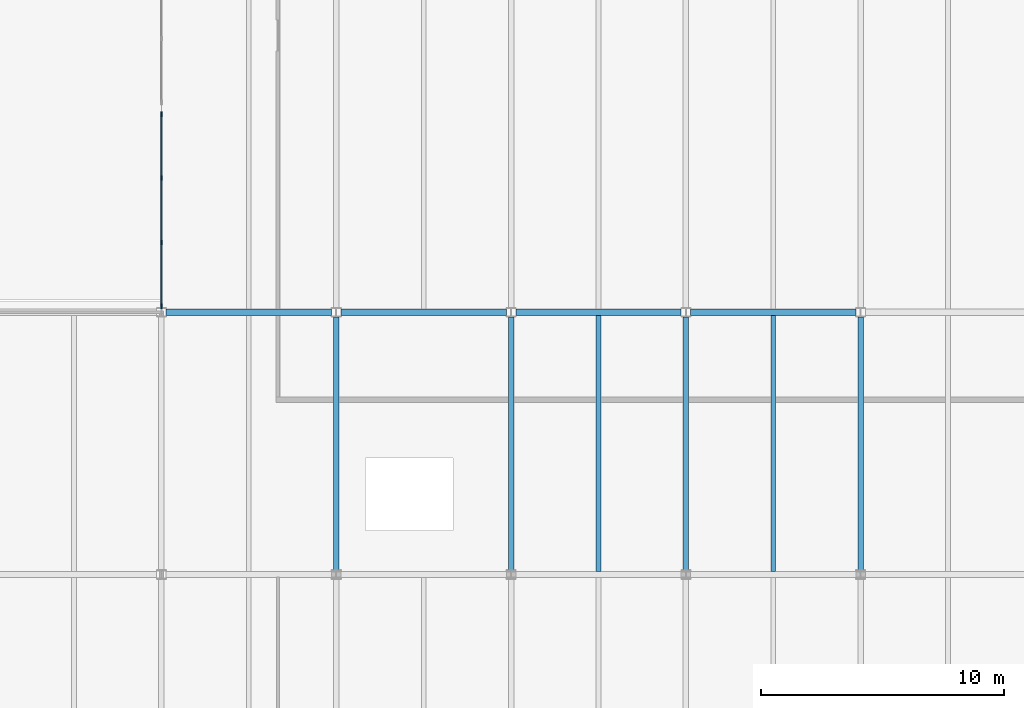
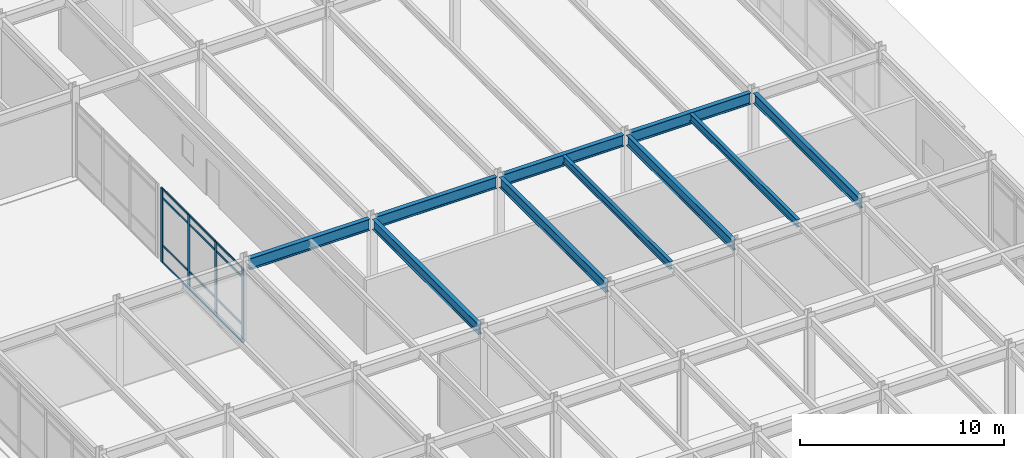
# One storey, part 46 of 104: 16 members, 10 beams, 1 element without a shape of its own.
"""IFC4 building model written with IfcOpenShell, lengths in metres."""

from ifc_helpers import new_model, si_unit, direction, frame, origin, origin_2d, place, context, subcontext, project, spatial, rectangle, i_section, extrude, material, material_profile, profile_set, type_object, element, aggregate, save


model = new_model("IFC4")

# Units and contexts
model_context = context("Model", 3, precision=1e-05, world=origin(), true_north=direction((0.0, 1.0)))
body_context = subcontext(model_context, "Body", "Model", "MODEL_VIEW")
ifc_project = project(units=[si_unit("LENGTHUNIT", "METRE"), si_unit("AREAUNIT", "SQUARE_METRE"), si_unit("VOLUMEUNIT", "CUBIC_METRE"), si_unit("PLANEANGLEUNIT", "RADIAN"), si_unit("MASSUNIT", "GRAM", prefix="KILO")], contexts=[model_context])

# Site, building, storey
site_placement = place(None, origin())
site = spatial("IfcSite", under=ifc_project, at=site_placement, CompositionType="ELEMENT")
building_placement = place(site_placement, origin())
building = spatial("IfcBuilding", under=site, at=building_placement, Name="Vaelcorin Mobility Hub", CompositionType="ELEMENT")
storey_placement = place(building_placement, origin())
storey = spatial("IfcBuildingStorey", under=building, at=storey_placement, Name="L00", CompositionType="ELEMENT", Elevation=0.0)

# Beams
ifc_material_1 = material(Name="Steel ASTM A992 Grade 50", Category="steel")
ifc_material_profile_1 = material_profile(ifc_material_1, i_section(OverallWidth=0.19091796875, OverallDepth=0.4599609375, WebThickness=0.010009765625, FlangeThickness=0.01611328125, FilletRadius=0.012939453125, at=origin_2d()), Name="W18X55")
ifc_profile_set_1 = profile_set([ifc_material_profile_1], Name="Steel ASTM A992 Grade 50")
beam_type_1 = type_object("IfcBeamType", Name="BM-W18X55", PredefinedType="JOIST", material=ifc_profile_set_1)
for number, where, z_axis, x_axis, name in (
    (1, (186.0, 49.324951171875, 4.909912109375), (0.0, 1.0, 0.0), (-1.0, 0.0, 0.0), "L00 Beam V5-L00-J-05-07-1"),
    (2, (193.199951171875, 49.324951171875, 4.909912109375), (0.0, 1.0, 0.0), (-1.0, 0.0, 0.0), "L00 Beam V5-L00-J-06-07-1"),
):
    element("IfcBeam", number, at=place(storey_placement, frame(where, z_axis=z_axis, x_axis=x_axis)), inside=storey, type_object=beam_type_1, Name=name, PredefinedType="JOIST", context=body_context, shape_type="SweptSolid", body=[
        extrude(i_section(OverallWidth=0.19091796875, OverallDepth=0.4599609375, WebThickness=0.010009765625, FlangeThickness=0.01611328125, FilletRadius=0.012939453125, at=origin_2d()), origin(), (0.0, 0.0, 1.0), 10.550048828125),
    ])
ifc_material_profile_2 = material_profile(ifc_material_1, i_section(OverallWidth=0.22900390625, OverallDepth=0.612060546875, WebThickness=0.011962890625, FlangeThickness=0.01953125, FilletRadius=0.014892578125, at=origin_2d()), Name="W24X84")
ifc_profile_set_2 = profile_set([ifc_material_profile_2], Name="Steel ASTM A992 Grade 50")
beam_type_2 = type_object("IfcBeamType", Name="BM-W24X84", PredefinedType="BEAM", material=ifc_profile_set_2)
for number, where, z_axis, x_axis, name in (
    (3, (175.199951171875, 49.387939453125, 4.833984375), (0.0, 1.0, 0.0), (-1.0, 0.0, 0.0), "L00 Beam V5-L00-GY-04-07"),
    (4, (182.39990234375, 49.387939453125, 4.833984375), (0.0, 1.0, 0.0), (-1.0, 0.0, 0.0), "L00 Beam V5-L00-GY-05-07"),
    (5, (189.60009765625, 49.387939453125, 4.833984375), (0.0, 1.0, 0.0), (-1.0, 0.0, 0.0), "L00 Beam V5-L00-GY-06-07"),
    (6, (196.800048828125, 49.387939453125, 4.833984375), (0.0, 1.0, 0.0), (-1.0, 0.0, 0.0), "L00 Beam V5-L00-GY-07-07"),
):
    element("IfcBeam", number, at=place(storey_placement, frame(where, z_axis=z_axis, x_axis=x_axis)), inside=storey, type_object=beam_type_2, Name=name, PredefinedType="BEAM", context=body_context, shape_type="SweptSolid", body=[
        extrude(i_section(OverallWidth=0.22900390625, OverallDepth=0.612060546875, WebThickness=0.011962890625, FlangeThickness=0.01953125, FilletRadius=0.014892578125, at=origin_2d()), origin(), (0.0, 0.0, 1.0), 10.424072265625),
    ])
ifc_material_profile_3 = material_profile(ifc_material_1, i_section(OverallWidth=0.25390625, OverallDepth=0.68310546875, WebThickness=0.012451171875, FlangeThickness=0.018798828125, FilletRadius=0.01611328125, at=origin_2d()), Name="W27X94")
ifc_profile_set_3 = profile_set([ifc_material_profile_3], Name="Steel ASTM A992 Grade 50")
beam_type_3 = type_object("IfcBeamType", Name="BM-W27X94", PredefinedType="BEAM", material=ifc_profile_set_3)
beam_placement = place(storey_placement, frame((168.196044921875, 60.0, 4.798095703125), z_axis=(1.0, 0.0, 0.0), x_axis=(0.0, 1.0, 0.0)))
element("IfcBeam", 7, at=beam_placement, inside=storey, type_object=beam_type_3, Name="L00 Beam V5-L00-GX-08-03", PredefinedType="BEAM", context=body_context, shape_type="SweptSolid", body=[
    extrude(i_section(OverallWidth=0.25390625, OverallDepth=0.68310546875, WebThickness=0.012451171875, FlangeThickness=0.018798828125, FilletRadius=0.01611328125, at=origin_2d()), origin(), (0.0, 0.0, 1.0), 6.807861328125),
])
for number, where, z_axis, x_axis, name in (
    (8, (175.39599609375, 60.0, 4.798095703125), (1.0, 0.0, 0.0), (0.0, 1.0, 0.0), "L00 Beam V5-L00-GX-08-04"),
    (9, (182.595947265625, 60.0, 4.798095703125), (1.0, 0.0, 0.0), (0.0, 1.0, 0.0), "L00 Beam V5-L00-GX-08-05"),
    (10, (189.7958984375, 60.0, 4.798095703125), (1.0, 0.0, 0.0), (0.0, 1.0, 0.0), "L00 Beam V5-L00-GX-08-06"),
):
    element("IfcBeam", number, at=place(storey_placement, frame(where, z_axis=z_axis, x_axis=x_axis)), inside=storey, type_object=beam_type_3, Name=name, PredefinedType="BEAM", context=body_context, shape_type="SweptSolid", body=[
        extrude(i_section(OverallWidth=0.25390625, OverallDepth=0.68310546875, WebThickness=0.012451171875, FlangeThickness=0.018798828125, FilletRadius=0.01611328125, at=origin_2d()), origin(), (0.0, 0.0, 1.0), 6.80810546875),
    ])

# Curtain wall, members
ifc_material_2 = material(Name="Anodised aluminium 6063-T6", Category="aluminium")
curtain_wall_type = type_object("IfcCurtainWallType", Name="CW-MOB-A", PredefinedType="NOTDEFINED", material=ifc_material_2)
curtain_wall_placement = place(storey_placement, origin())
curtain_wall = element("IfcCurtainWall", 11, at=curtain_wall_placement, inside=storey, type_object=curtain_wall_type, Name="L00 Curtain Wall CW-V5-L00-NOTCH-1", PredefinedType="NOTDEFINED")
ifc_material_profile_4 = material_profile(ifc_material_2, rectangle(XDim=0.070068359375, YDim=0.199951171875, at=origin_2d()), Name="ALU-M70X200")
ifc_profile_set_4 = profile_set([ifc_material_profile_4], Name="Anodised aluminium 6063-T6")
member_type_1 = type_object("IfcMemberType", Name="CW-MULL-200", PredefinedType="MULLION", material=ifc_profile_set_4)
member_1_placement = place(storey_placement, frame((168.0, 60.25, 0.0), z_axis=(0.0, 0.0, 1.0), x_axis=(-1.0, 0.0, 0.0)))
member_1 = element("IfcMember", 12, at=member_1_placement, type_object=member_type_1, Name="CW7 mullion 1", PredefinedType="MULLION", context=body_context, shape_type="SweptSolid", body=[
    extrude(rectangle(XDim=0.070068359375, YDim=0.199951171875, at=origin_2d()), origin(), (0.0, 0.0, 1.0), 4.44189453125),
])
member_2_placement = place(storey_placement, frame((168.0, 62.873291015625, 0.0), z_axis=(0.0, 0.0, 1.0), x_axis=(-1.0, 0.0, 0.0)))
member_2 = element("IfcMember", 13, at=member_2_placement, type_object=member_type_1, Name="CW7 mullion 2", PredefinedType="MULLION", context=body_context, shape_type="SweptSolid", body=[
    extrude(rectangle(XDim=0.070068359375, YDim=0.199951171875, at=origin_2d()), origin(), (0.0, 0.0, 1.0), 4.44189453125),
])
member_3_placement = place(storey_placement, frame((168.0, 65.526611328125, 0.0), z_axis=(0.0, 0.0, 1.0), x_axis=(-1.0, 0.0, 0.0)))
member_3 = element("IfcMember", 14, at=member_3_placement, type_object=member_type_1, Name="CW7 mullion 3", PredefinedType="MULLION", context=body_context, shape_type="SweptSolid", body=[
    extrude(rectangle(XDim=0.070068359375, YDim=0.199951171875, at=origin_2d()), origin(), (0.0, 0.0, 1.0), 4.44189453125),
])
member_4_placement = place(storey_placement, frame((168.0, 68.14990234375, 0.0), z_axis=(0.0, 0.0, 1.0), x_axis=(-1.0, 0.0, 0.0)))
member_4 = element("IfcMember", 15, at=member_4_placement, type_object=member_type_1, Name="CW7 mullion 4", PredefinedType="MULLION", context=body_context, shape_type="SweptSolid", body=[
    extrude(rectangle(XDim=0.070068359375, YDim=0.199951171875, at=origin_2d()), origin(), (0.0, 0.0, 1.0), 4.44189453125),
])
ifc_material_profile_5 = material_profile(ifc_material_2, rectangle(XDim=0.06005859375, YDim=0.1201171875, at=origin_2d()), Name="ALU-T60X120")
ifc_profile_set_5 = profile_set([ifc_material_profile_5], Name="Anodised aluminium 6063-T6")
member_type_2 = type_object("IfcMemberType", Name="CW-TRAN-140", PredefinedType="USERDEFINED", material=ifc_profile_set_5)
member_5_placement = place(storey_placement, frame((168.0, 60.280029296875, 0.030029296875), z_axis=(0.0, 1.0, 0.0), x_axis=(-1.0, 0.0, 0.0)))
member_5 = element("IfcMember", 16, at=member_5_placement, type_object=member_type_2, Name="CW7 transom 1.1", ObjectType="TRANSOM", PredefinedType="USERDEFINED", context=body_context, shape_type="SweptSolid", body=[
    extrude(rectangle(XDim=0.06005859375, YDim=0.1201171875, at=origin_2d()), origin(), (0.0, 0.0, 1.0), 2.563232421875),
])
member_6_placement = place(storey_placement, frame((168.0, 60.280029296875, 1.050048828125), z_axis=(0.0, 1.0, 0.0), x_axis=(-1.0, 0.0, 0.0)))
member_6 = element("IfcMember", 17, at=member_6_placement, type_object=member_type_2, Name="CW7 transom 1.2", ObjectType="TRANSOM", PredefinedType="USERDEFINED", context=body_context, shape_type="SweptSolid", body=[
    extrude(rectangle(XDim=0.06005859375, YDim=0.1201171875, at=origin_2d()), origin(), (0.0, 0.0, 1.0), 2.563232421875),
])
member_7_placement = place(storey_placement, frame((168.0, 60.280029296875, 3.89208984375), z_axis=(0.0, 1.0, 0.0), x_axis=(-1.0, 0.0, 0.0)))
member_7 = element("IfcMember", 18, at=member_7_placement, type_object=member_type_2, Name="CW7 transom 1.3", ObjectType="TRANSOM", PredefinedType="USERDEFINED", context=body_context, shape_type="SweptSolid", body=[
    extrude(rectangle(XDim=0.06005859375, YDim=0.1201171875, at=origin_2d()), origin(), (0.0, 0.0, 1.0), 2.563232421875),
])
member_8_placement = place(storey_placement, frame((168.0, 60.280029296875, 4.412109375), z_axis=(0.0, 1.0, 0.0), x_axis=(-1.0, 0.0, 0.0)))
member_8 = element("IfcMember", 19, at=member_8_placement, type_object=member_type_2, Name="CW7 transom 1.4", ObjectType="TRANSOM", PredefinedType="USERDEFINED", context=body_context, shape_type="SweptSolid", body=[
    extrude(rectangle(XDim=0.06005859375, YDim=0.1201171875, at=origin_2d()), origin(), (0.0, 0.0, 1.0), 2.563232421875),
])
member_9_placement = place(storey_placement, frame((168.0, 62.9033203125, 0.030029296875), z_axis=(0.0, 1.0, 0.0), x_axis=(-1.0, 0.0, 0.0)))
member_9 = element("IfcMember", 20, at=member_9_placement, type_object=member_type_2, Name="CW7 transom 2.1", ObjectType="TRANSOM", PredefinedType="USERDEFINED", context=body_context, shape_type="SweptSolid", body=[
    extrude(rectangle(XDim=0.06005859375, YDim=0.1201171875, at=origin_2d()), origin(), (0.0, 0.0, 1.0), 2.59326171875),
])
member_10_placement = place(storey_placement, frame((168.0, 62.9033203125, 1.050048828125), z_axis=(0.0, 1.0, 0.0), x_axis=(-1.0, 0.0, 0.0)))
member_10 = element("IfcMember", 21, at=member_10_placement, type_object=member_type_2, Name="CW7 transom 2.2", ObjectType="TRANSOM", PredefinedType="USERDEFINED", context=body_context, shape_type="SweptSolid", body=[
    extrude(rectangle(XDim=0.06005859375, YDim=0.1201171875, at=origin_2d()), origin(), (0.0, 0.0, 1.0), 2.59326171875),
])
member_11_placement = place(storey_placement, frame((168.0, 62.9033203125, 3.89208984375), z_axis=(0.0, 1.0, 0.0), x_axis=(-1.0, 0.0, 0.0)))
member_11 = element("IfcMember", 22, at=member_11_placement, type_object=member_type_2, Name="CW7 transom 2.3", ObjectType="TRANSOM", PredefinedType="USERDEFINED", context=body_context, shape_type="SweptSolid", body=[
    extrude(rectangle(XDim=0.06005859375, YDim=0.1201171875, at=origin_2d()), origin(), (0.0, 0.0, 1.0), 2.59326171875),
])
member_12_placement = place(storey_placement, frame((168.0, 62.9033203125, 4.412109375), z_axis=(0.0, 1.0, 0.0), x_axis=(-1.0, 0.0, 0.0)))
member_12 = element("IfcMember", 23, at=member_12_placement, type_object=member_type_2, Name="CW7 transom 2.4", ObjectType="TRANSOM", PredefinedType="USERDEFINED", context=body_context, shape_type="SweptSolid", body=[
    extrude(rectangle(XDim=0.06005859375, YDim=0.1201171875, at=origin_2d()), origin(), (0.0, 0.0, 1.0), 2.59326171875),
])
member_13_placement = place(storey_placement, frame((168.0, 65.556640625, 0.030029296875), z_axis=(0.0, 1.0, 0.0), x_axis=(-1.0, 0.0, 0.0)))
member_13 = element("IfcMember", 24, at=member_13_placement, type_object=member_type_2, Name="CW7 transom 3.1", ObjectType="TRANSOM", PredefinedType="USERDEFINED", context=body_context, shape_type="SweptSolid", body=[
    extrude(rectangle(XDim=0.06005859375, YDim=0.1201171875, at=origin_2d()), origin(), (0.0, 0.0, 1.0), 2.5634765625),
])
member_14_placement = place(storey_placement, frame((168.0, 65.556640625, 1.050048828125), z_axis=(0.0, 1.0, 0.0), x_axis=(-1.0, 0.0, 0.0)))
member_14 = element("IfcMember", 25, at=member_14_placement, type_object=member_type_2, Name="CW7 transom 3.2", ObjectType="TRANSOM", PredefinedType="USERDEFINED", context=body_context, shape_type="SweptSolid", body=[
    extrude(rectangle(XDim=0.06005859375, YDim=0.1201171875, at=origin_2d()), origin(), (0.0, 0.0, 1.0), 2.5634765625),
])
member_15_placement = place(storey_placement, frame((168.0, 65.556640625, 3.89208984375), z_axis=(0.0, 1.0, 0.0), x_axis=(-1.0, 0.0, 0.0)))
member_15 = element("IfcMember", 26, at=member_15_placement, type_object=member_type_2, Name="CW7 transom 3.3", ObjectType="TRANSOM", PredefinedType="USERDEFINED", context=body_context, shape_type="SweptSolid", body=[
    extrude(rectangle(XDim=0.06005859375, YDim=0.1201171875, at=origin_2d()), origin(), (0.0, 0.0, 1.0), 2.5634765625),
])
member_16_placement = place(storey_placement, frame((168.0, 65.556640625, 4.412109375), z_axis=(0.0, 1.0, 0.0), x_axis=(-1.0, 0.0, 0.0)))
member_16 = element("IfcMember", 27, at=member_16_placement, type_object=member_type_2, Name="CW7 transom 3.4", ObjectType="TRANSOM", PredefinedType="USERDEFINED", context=body_context, shape_type="SweptSolid", body=[
    extrude(rectangle(XDim=0.06005859375, YDim=0.1201171875, at=origin_2d()), origin(), (0.0, 0.0, 1.0), 2.5634765625),
])
aggregate(curtain_wall, [member_1, member_2, member_3, member_4, member_5, member_6, member_7, member_8, member_9, member_10, member_11, member_12, member_13, member_14, member_15, member_16])

save(model, "model.ifc")
